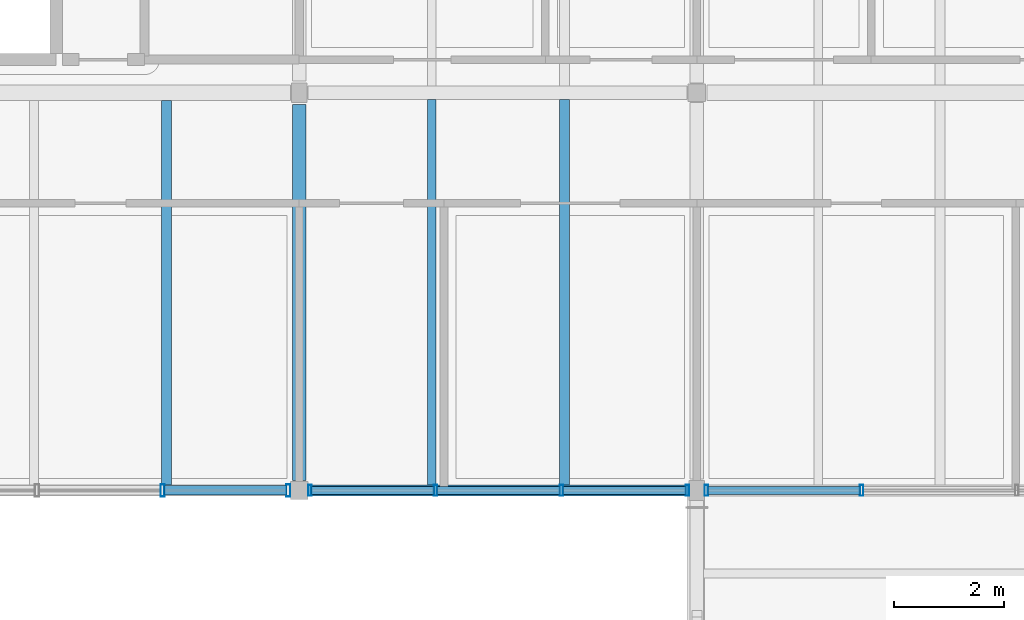
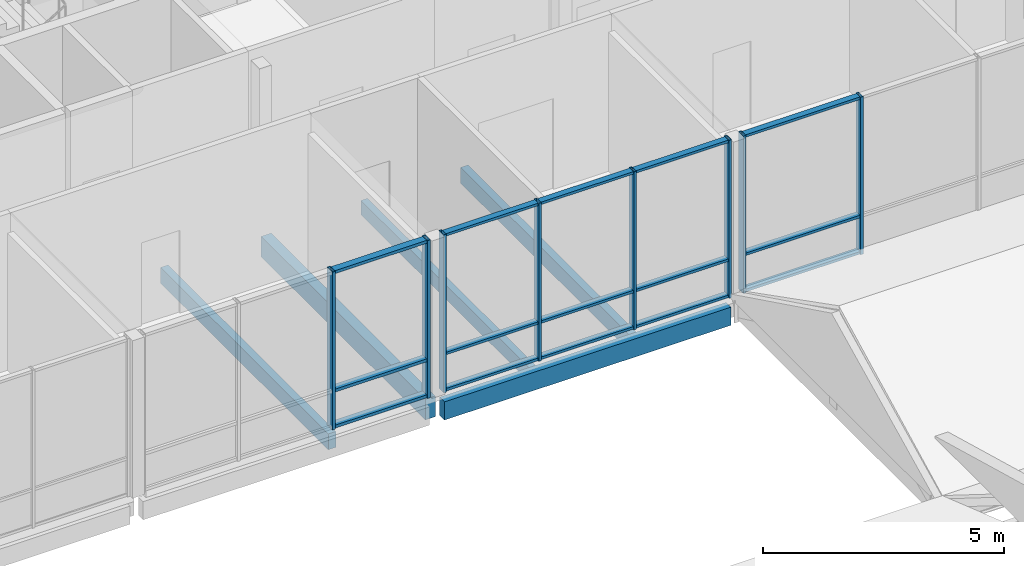
# One storey, part 26 of 115: 23 members, 5 beams, 3 elements without a shape of their own.
"""IFC4 building model written with IfcOpenShell, lengths in metres."""

from ifc_helpers import new_model, si_unit, direction, frame, origin, origin_2d, place, context, subcontext, project, spatial, rectangle, hollow_rectangle, extrude, material, material_profile, profile_set, type_object, element, aggregate, save


model = new_model("IFC4")

# Units and contexts
model_context = context("Model", 3, precision=1e-05, world=origin(), true_north=direction((0.0, 1.0)))
body_context = subcontext(model_context, "Body", "Model", "MODEL_VIEW")
ifc_project = project(units=[si_unit("LENGTHUNIT", "METRE"), si_unit("AREAUNIT", "SQUARE_METRE"), si_unit("VOLUMEUNIT", "CUBIC_METRE"), si_unit("PLANEANGLEUNIT", "RADIAN"), si_unit("MASSUNIT", "GRAM", prefix="KILO")], contexts=[model_context])

# Site, building, storey
site_placement = place(None, origin())
site = spatial("IfcSite", under=ifc_project, at=site_placement, CompositionType="ELEMENT")
building_placement = place(site_placement, origin())
building = spatial("IfcBuilding", under=site, at=building_placement, Name="Hawrajan Terrace Health Centre", CompositionType="ELEMENT")
storey_placement = place(building_placement, frame((0.0, 0.0, 9.0)))
storey = spatial("IfcBuildingStorey", under=building, at=storey_placement, Name="L02", CompositionType="ELEMENT", Elevation=9.0)

# Curtain wall, members
ifc_material_1 = material(Name="Anodized bronze aluminium and low-E solar glazing", Category="aluminium")
curtain_wall_type_1 = type_object("IfcCurtainWallType", Name="CW_Pavilion_SeriesE2", PredefinedType="USERDEFINED", material=ifc_material_1)
curtain_wall_1_placement = place(storey_placement, origin())
curtain_wall_1 = element("IfcCurtainWall", 1, at=curtain_wall_1_placement, inside=storey, type_object=curtain_wall_type_1, Name="Curtain wall CW-L02-133", ObjectType="UNITISED CURTAIN WALL", PredefinedType="USERDEFINED")
ifc_material_2 = material(Name="Anodized bronze aluminium 6063-T6", Category="aluminium")
ifc_material_profile_1 = material_profile(ifc_material_2, hollow_rectangle(XDim=0.06494140625, YDim=0.199951171875, WallThickness=0.00439453125, at=origin_2d()), Name="CW MUL 65x200")
ifc_profile_set_1 = profile_set([ifc_material_profile_1], Name="Anodized bronze aluminium 6063-T6")
member_type_1 = type_object("IfcMemberType", Name="CWMullion_65x200", PredefinedType="MULLION", material=ifc_profile_set_1)
member_1_placement = place(storey_placement, frame((55.1923828125, 45.39990234375, -0.0048828125), z_axis=(0.0, 0.0, 1.0), x_axis=(1.0, 0.0, 0.0)))
member_1 = element("IfcMember", 2, at=member_1_placement, type_object=member_type_1, Name="Mullion CW-L02-133-M1", PredefinedType="MULLION", context=body_context, shape_type="SweptSolid", body=[
    extrude(hollow_rectangle(XDim=0.06494140625, YDim=0.199951171875, WallThickness=0.00439453125, at=origin_2d()), origin(), (0.0, 0.0, 1.0), 4.0),
])
member_2_placement = place(storey_placement, frame((57.470703125, 45.39990234375, -0.0048828125), z_axis=(0.0, 0.0, 1.0), x_axis=(1.0, 0.0, 0.0)))
member_2 = element("IfcMember", 3, at=member_2_placement, type_object=member_type_1, Name="Mullion CW-L02-133-M2", PredefinedType="MULLION", context=body_context, shape_type="SweptSolid", body=[
    extrude(hollow_rectangle(XDim=0.06494140625, YDim=0.199951171875, WallThickness=0.00439453125, at=origin_2d()), origin(), (0.0, 0.0, 1.0), 4.0),
])
member_3_placement = place(storey_placement, frame((59.749267578125, 45.39990234375, -0.0048828125), z_axis=(0.0, 0.0, 1.0), x_axis=(1.0, 0.0, 0.0)))
member_3 = element("IfcMember", 4, at=member_3_placement, type_object=member_type_1, Name="Mullion CW-L02-133-M3", PredefinedType="MULLION", context=body_context, shape_type="SweptSolid", body=[
    extrude(hollow_rectangle(XDim=0.06494140625, YDim=0.199951171875, WallThickness=0.00439453125, at=origin_2d()), origin(), (0.0, 0.0, 1.0), 4.0),
])
member_4_placement = place(storey_placement, frame((62.027587890625, 45.39990234375, -0.0048828125), z_axis=(0.0, 0.0, 1.0), x_axis=(1.0, 0.0, 0.0)))
member_4 = element("IfcMember", 5, at=member_4_placement, type_object=member_type_1, Name="Mullion CW-L02-133-M4", PredefinedType="MULLION", context=body_context, shape_type="SweptSolid", body=[
    extrude(hollow_rectangle(XDim=0.06494140625, YDim=0.199951171875, WallThickness=0.00439453125, at=origin_2d()), origin(), (0.0, 0.0, 1.0), 4.0),
])

curtain_wall_type_2 = type_object("IfcCurtainWallType", Name="CW_Clerestory_SeriesG1", PredefinedType="USERDEFINED", material=ifc_material_1)
curtain_wall_2_placement = place(storey_placement, origin())
curtain_wall_2 = element("IfcCurtainWall", 6, at=curtain_wall_2_placement, inside=storey, type_object=curtain_wall_type_2, Name="Curtain wall CW-L02-136", ObjectType="UNITISED CURTAIN WALL", PredefinedType="USERDEFINED")
member_5_placement = place(storey_placement, frame((62.37255859375, 45.39990234375, -0.0048828125), z_axis=(0.0, 0.0, 1.0), x_axis=(1.0, 0.0, 0.0)))
member_5 = element("IfcMember", 7, at=member_5_placement, type_object=member_type_1, Name="Mullion CW-L02-136-M1", PredefinedType="MULLION", context=body_context, shape_type="SweptSolid", body=[
    extrude(hollow_rectangle(XDim=0.06494140625, YDim=0.199951171875, WallThickness=0.00439453125, at=origin_2d()), origin(), (0.0, 0.0, 1.0), 3.989990234375),
])
member_6_placement = place(storey_placement, frame((65.18408203125, 45.39990234375, -0.0048828125), z_axis=(0.0, 0.0, 1.0), x_axis=(1.0, 0.0, 0.0)))
member_6 = element("IfcMember", 8, at=member_6_placement, type_object=member_type_1, Name="Mullion CW-L02-136-M2", PredefinedType="MULLION", context=body_context, shape_type="SweptSolid", body=[
    extrude(hollow_rectangle(XDim=0.06494140625, YDim=0.199951171875, WallThickness=0.00439453125, at=origin_2d()), origin(), (0.0, 0.0, 1.0), 3.989990234375),
])

curtain_wall_type_3 = type_object("IfcCurtainWallType", Name="CW_Hall_SeriesD2", PredefinedType="USERDEFINED", material=ifc_material_1)
curtain_wall_3_placement = place(storey_placement, origin())
curtain_wall_3 = element("IfcCurtainWall", 9, at=curtain_wall_3_placement, inside=storey, type_object=curtain_wall_type_3, Name="Curtain wall CW-L02-131", ObjectType="UNITISED CURTAIN WALL", PredefinedType="USERDEFINED")
ifc_material_profile_2 = material_profile(ifc_material_2, hollow_rectangle(XDim=0.074951171875, YDim=0.219970703125, WallThickness=0.0048828125, at=origin_2d()), Name="CW MUL 75x220")
ifc_profile_set_2 = profile_set([ifc_material_profile_2], Name="Anodized bronze aluminium 6063-T6")
member_type_2 = type_object("IfcMemberType", Name="CWMullion_75x220", PredefinedType="MULLION", material=ifc_profile_set_2)
member_7_placement = place(storey_placement, frame((52.527587890625, 45.39990234375, -0.0048828125), z_axis=(0.0, 0.0, 1.0), x_axis=(1.0, 0.0, 0.0)))
member_7 = element("IfcMember", 10, at=member_7_placement, type_object=member_type_2, Name="Mullion CW-L02-131-M3", PredefinedType="MULLION", context=body_context, shape_type="SweptSolid", body=[
    extrude(hollow_rectangle(XDim=0.074951171875, YDim=0.219970703125, WallThickness=0.0048828125, at=origin_2d()), origin(), (0.0, 0.0, 1.0), 4.0),
])
member_8_placement = place(storey_placement, frame((54.802490234375, 45.39990234375, -0.0048828125), z_axis=(0.0, 0.0, 1.0), x_axis=(1.0, 0.0, 0.0)))
member_8 = element("IfcMember", 11, at=member_8_placement, type_object=member_type_2, Name="Mullion CW-L02-131-M4", PredefinedType="MULLION", context=body_context, shape_type="SweptSolid", body=[
    extrude(hollow_rectangle(XDim=0.074951171875, YDim=0.219970703125, WallThickness=0.0048828125, at=origin_2d()), origin(), (0.0, 0.0, 1.0), 4.0),
])

# Member
ifc_material_profile_3 = material_profile(ifc_material_2, hollow_rectangle(XDim=0.06494140625, YDim=0.14990234375, WallThickness=0.00390625, at=origin_2d()), Name="CW TRN 65x150")
ifc_profile_set_3 = profile_set([ifc_material_profile_3], Name="Anodized bronze aluminium 6063-T6")
member_type_3 = type_object("IfcMemberType", Name="CWTransom_65x150", PredefinedType="USERDEFINED", material=ifc_profile_set_3)
member_9_placement = place(storey_placement, frame((55.218994140625, 45.39990234375, 0.032470703125), z_axis=(1.0, 0.0, 0.0), x_axis=(0.0, 0.0, 1.0)))
member_9 = element("IfcMember", 12, at=member_9_placement, type_object=member_type_3, Name="Transom CW-L02-133-T1-1", ObjectType="TRANSOM", PredefinedType="USERDEFINED", context=body_context, shape_type="SweptSolid", body=[
    extrude(hollow_rectangle(XDim=0.06494140625, YDim=0.14990234375, WallThickness=0.00390625, at=origin_2d()), origin(), (0.0, 0.0, 1.0), 2.225341796875),
])

member_10_placement = place(storey_placement, frame((55.218994140625, 45.39990234375, 0.949951171875), z_axis=(1.0, 0.0, 0.0), x_axis=(0.0, 0.0, 1.0)))
member_10 = element("IfcMember", 13, at=member_10_placement, type_object=member_type_3, Name="Transom CW-L02-133-T1-2", ObjectType="TRANSOM", PredefinedType="USERDEFINED", context=body_context, shape_type="SweptSolid", body=[
    extrude(hollow_rectangle(XDim=0.06494140625, YDim=0.14990234375, WallThickness=0.00390625, at=origin_2d()), origin(), (0.0, 0.0, 1.0), 2.225341796875),
])

member_11_placement = place(storey_placement, frame((55.218994140625, 45.39990234375, 3.95751953125), z_axis=(1.0, 0.0, 0.0), x_axis=(0.0, 0.0, 1.0)))
member_11 = element("IfcMember", 14, at=member_11_placement, type_object=member_type_3, Name="Transom CW-L02-133-T1-3", ObjectType="TRANSOM", PredefinedType="USERDEFINED", context=body_context, shape_type="SweptSolid", body=[
    extrude(hollow_rectangle(XDim=0.06494140625, YDim=0.14990234375, WallThickness=0.00390625, at=origin_2d()), origin(), (0.0, 0.0, 1.0), 2.225341796875),
])

member_12_placement = place(storey_placement, frame((57.497314453125, 45.39990234375, 0.032470703125), z_axis=(1.0, 0.0, 0.0), x_axis=(0.0, 0.0, 1.0)))
member_12 = element("IfcMember", 15, at=member_12_placement, type_object=member_type_3, Name="Transom CW-L02-133-T2-1", ObjectType="TRANSOM", PredefinedType="USERDEFINED", context=body_context, shape_type="SweptSolid", body=[
    extrude(hollow_rectangle(XDim=0.06494140625, YDim=0.14990234375, WallThickness=0.00390625, at=origin_2d()), origin(), (0.0, 0.0, 1.0), 2.225341796875),
])

member_13_placement = place(storey_placement, frame((57.497314453125, 45.39990234375, 0.949951171875), z_axis=(1.0, 0.0, 0.0), x_axis=(0.0, 0.0, 1.0)))
member_13 = element("IfcMember", 16, at=member_13_placement, type_object=member_type_3, Name="Transom CW-L02-133-T2-2", ObjectType="TRANSOM", PredefinedType="USERDEFINED", context=body_context, shape_type="SweptSolid", body=[
    extrude(hollow_rectangle(XDim=0.06494140625, YDim=0.14990234375, WallThickness=0.00390625, at=origin_2d()), origin(), (0.0, 0.0, 1.0), 2.225341796875),
])

member_14_placement = place(storey_placement, frame((57.497314453125, 45.39990234375, 3.95751953125), z_axis=(1.0, 0.0, 0.0), x_axis=(0.0, 0.0, 1.0)))
member_14 = element("IfcMember", 17, at=member_14_placement, type_object=member_type_3, Name="Transom CW-L02-133-T2-3", ObjectType="TRANSOM", PredefinedType="USERDEFINED", context=body_context, shape_type="SweptSolid", body=[
    extrude(hollow_rectangle(XDim=0.06494140625, YDim=0.14990234375, WallThickness=0.00390625, at=origin_2d()), origin(), (0.0, 0.0, 1.0), 2.225341796875),
])

member_15_placement = place(storey_placement, frame((59.775634765625, 45.39990234375, 0.032470703125), z_axis=(1.0, 0.0, 0.0), x_axis=(0.0, 0.0, 1.0)))
member_15 = element("IfcMember", 18, at=member_15_placement, type_object=member_type_3, Name="Transom CW-L02-133-T3-1", ObjectType="TRANSOM", PredefinedType="USERDEFINED", context=body_context, shape_type="SweptSolid", body=[
    extrude(hollow_rectangle(XDim=0.06494140625, YDim=0.14990234375, WallThickness=0.00390625, at=origin_2d()), origin(), (0.0, 0.0, 1.0), 2.225341796875),
])

member_16_placement = place(storey_placement, frame((59.775634765625, 45.39990234375, 0.949951171875), z_axis=(1.0, 0.0, 0.0), x_axis=(0.0, 0.0, 1.0)))
member_16 = element("IfcMember", 19, at=member_16_placement, type_object=member_type_3, Name="Transom CW-L02-133-T3-2", ObjectType="TRANSOM", PredefinedType="USERDEFINED", context=body_context, shape_type="SweptSolid", body=[
    extrude(hollow_rectangle(XDim=0.06494140625, YDim=0.14990234375, WallThickness=0.00390625, at=origin_2d()), origin(), (0.0, 0.0, 1.0), 2.225341796875),
])

member_17_placement = place(storey_placement, frame((59.775634765625, 45.39990234375, 3.95751953125), z_axis=(1.0, 0.0, 0.0), x_axis=(0.0, 0.0, 1.0)))
member_17 = element("IfcMember", 20, at=member_17_placement, type_object=member_type_3, Name="Transom CW-L02-133-T3-3", ObjectType="TRANSOM", PredefinedType="USERDEFINED", context=body_context, shape_type="SweptSolid", body=[
    extrude(hollow_rectangle(XDim=0.06494140625, YDim=0.14990234375, WallThickness=0.00390625, at=origin_2d()), origin(), (0.0, 0.0, 1.0), 2.225341796875),
])

aggregate(curtain_wall_1, [member_1, member_2, member_3, member_4, member_9, member_10, member_11, member_12, member_13, member_14, member_15, member_16, member_17])

member_18_placement = place(storey_placement, frame((62.39892578125, 45.39990234375, 0.032470703125), z_axis=(1.0, 0.0, 0.0), x_axis=(0.0, 0.0, 1.0)))
member_18 = element("IfcMember", 21, at=member_18_placement, type_object=member_type_3, Name="Transom CW-L02-136-T1-1", ObjectType="TRANSOM", PredefinedType="USERDEFINED", context=body_context, shape_type="SweptSolid", body=[
    extrude(hollow_rectangle(XDim=0.06494140625, YDim=0.14990234375, WallThickness=0.00390625, at=origin_2d()), origin(), (0.0, 0.0, 1.0), 2.7587890625),
])

member_19_placement = place(storey_placement, frame((62.39892578125, 45.39990234375, 0.949951171875), z_axis=(1.0, 0.0, 0.0), x_axis=(0.0, 0.0, 1.0)))
member_19 = element("IfcMember", 22, at=member_19_placement, type_object=member_type_3, Name="Transom CW-L02-136-T1-2", ObjectType="TRANSOM", PredefinedType="USERDEFINED", context=body_context, shape_type="SweptSolid", body=[
    extrude(hollow_rectangle(XDim=0.06494140625, YDim=0.14990234375, WallThickness=0.00390625, at=origin_2d()), origin(), (0.0, 0.0, 1.0), 2.7587890625),
])

member_20_placement = place(storey_placement, frame((62.39892578125, 45.39990234375, 3.947509765625), z_axis=(1.0, 0.0, 0.0), x_axis=(0.0, 0.0, 1.0)))
member_20 = element("IfcMember", 23, at=member_20_placement, type_object=member_type_3, Name="Transom CW-L02-136-T1-3", ObjectType="TRANSOM", PredefinedType="USERDEFINED", context=body_context, shape_type="SweptSolid", body=[
    extrude(hollow_rectangle(XDim=0.06494140625, YDim=0.14990234375, WallThickness=0.00390625, at=origin_2d()), origin(), (0.0, 0.0, 1.0), 2.7587890625),
])

aggregate(curtain_wall_2, [member_5, member_6, member_18, member_19, member_20])

ifc_material_profile_4 = material_profile(ifc_material_2, hollow_rectangle(XDim=0.074951171875, YDim=0.169921875, WallThickness=0.00439453125, at=origin_2d()), Name="CW TRN 75x170")
ifc_profile_set_4 = profile_set([ifc_material_profile_4], Name="Anodized bronze aluminium 6063-T6")
member_type_4 = type_object("IfcMemberType", Name="CWTransom_75x170", PredefinedType="USERDEFINED", material=ifc_profile_set_4)
member_21_placement = place(storey_placement, frame((52.55908203125, 45.39990234375, 0.03759765625), z_axis=(1.0, 0.0, 0.0), x_axis=(0.0, 0.0, 1.0)))
member_21 = element("IfcMember", 24, at=member_21_placement, type_object=member_type_4, Name="Transom CW-L02-131-T3-1", ObjectType="TRANSOM", PredefinedType="USERDEFINED", context=body_context, shape_type="SweptSolid", body=[
    extrude(hollow_rectangle(XDim=0.074951171875, YDim=0.169921875, WallThickness=0.00439453125, at=origin_2d()), origin(), (0.0, 0.0, 1.0), 2.2119140625),
])

member_22_placement = place(storey_placement, frame((52.55908203125, 45.39990234375, 0.949951171875), z_axis=(1.0, 0.0, 0.0), x_axis=(0.0, 0.0, 1.0)))
member_22 = element("IfcMember", 25, at=member_22_placement, type_object=member_type_4, Name="Transom CW-L02-131-T3-2", ObjectType="TRANSOM", PredefinedType="USERDEFINED", context=body_context, shape_type="SweptSolid", body=[
    extrude(hollow_rectangle(XDim=0.074951171875, YDim=0.169921875, WallThickness=0.00439453125, at=origin_2d()), origin(), (0.0, 0.0, 1.0), 2.2119140625),
])

member_23_placement = place(storey_placement, frame((52.55908203125, 45.39990234375, 3.952392578125), z_axis=(1.0, 0.0, 0.0), x_axis=(0.0, 0.0, 1.0)))
member_23 = element("IfcMember", 26, at=member_23_placement, type_object=member_type_4, Name="Transom CW-L02-131-T3-3", ObjectType="TRANSOM", PredefinedType="USERDEFINED", context=body_context, shape_type="SweptSolid", body=[
    extrude(hollow_rectangle(XDim=0.074951171875, YDim=0.169921875, WallThickness=0.00439453125, at=origin_2d()), origin(), (0.0, 0.0, 1.0), 2.2119140625),
])

aggregate(curtain_wall_3, [member_7, member_8, member_21, member_22, member_23])

# Beams
ifc_material_3 = material(Name="Glulam GL32h", Category="wood")
ifc_material_profile_5 = material_profile(ifc_material_3, rectangle(XDim=0.239990234375, YDim=0.52001953125, at=origin_2d()), Name="GL BM 240x520")
ifc_profile_set_5 = profile_set([ifc_material_profile_5], Name="Glulam GL32h")
beam_type_1 = type_object("IfcBeamType", Name="GlulamGirder_240x520", PredefinedType="BEAM", material=ifc_profile_set_5)
beam_1_placement = place(storey_placement, frame((55.0, 45.580078125, -0.5), z_axis=(0.0, 1.0, 0.0), x_axis=(-1.0, 0.0, 0.0)))
element("IfcBeam", 27, at=beam_1_placement, inside=storey, type_object=beam_type_1, Name="Beam BM-Y-L02-W-X08-6", PredefinedType="BEAM", context=body_context, shape_type="SweptSolid", body=[
    extrude(rectangle(XDim=0.239990234375, YDim=0.52001953125, at=origin_2d()), origin(), (0.0, 0.0, 1.0), 6.809814453125),
])
ifc_material_4 = material(Name="Glulam GL28h", Category="wood")
ifc_material_profile_6 = material_profile(ifc_material_4, rectangle(XDim=0.159912109375, YDim=0.360107421875, at=origin_2d()), Name="GL JST 160x360")
ifc_profile_set_6 = profile_set([ifc_material_profile_6], Name="Glulam GL28h")
beam_type_2 = type_object("IfcBeamType", Name="GlulamJoist_160x360", PredefinedType="JOIST", material=ifc_profile_set_6)
beam_2_placement = place(storey_placement, frame((57.39990234375, 45.5, -0.419921875), z_axis=(0.0, 1.0, 0.0), x_axis=(-1.0, 0.0, 0.0)))
element("IfcBeam", 28, at=beam_2_placement, inside=storey, type_object=beam_type_2, Name="Secondary joist JST-L02-W-08-6-1", PredefinedType="JOIST", context=body_context, shape_type="SweptSolid", body=[
    extrude(rectangle(XDim=0.159912109375, YDim=0.360107421875, at=origin_2d()), origin(), (0.0, 0.0, 1.0), 6.97998046875),
])
ifc_material_profile_7 = material_profile(ifc_material_4, rectangle(XDim=0.179931640625, YDim=0.39990234375, at=origin_2d()), Name="GL JST 180x400")
ifc_profile_set_7 = profile_set([ifc_material_profile_7], Name="Glulam GL28h")
beam_type_3 = type_object("IfcBeamType", Name="GlulamJoist_180x400", PredefinedType="JOIST", material=ifc_profile_set_7)
beam_3_placement = place(storey_placement, frame((52.60009765625, 45.5, -0.43994140625), z_axis=(0.0, 1.0, 0.0), x_axis=(-1.0, 0.0, 0.0)))
element("IfcBeam", 29, at=beam_3_placement, inside=storey, type_object=beam_type_3, Name="Secondary joist JST-L02-W-07-6-2", PredefinedType="JOIST", context=body_context, shape_type="SweptSolid", body=[
    extrude(rectangle(XDim=0.179931640625, YDim=0.39990234375, at=origin_2d()), origin(), (0.0, 0.0, 1.0), 6.9599609375),
])
beam_4_placement = place(storey_placement, frame((59.800048828125, 45.5, -0.43994140625), z_axis=(0.0, 1.0, 0.0), x_axis=(-1.0, 0.0, 0.0)))
element("IfcBeam", 30, at=beam_4_placement, inside=storey, type_object=beam_type_3, Name="Secondary joist JST-L02-W-08-6-2", PredefinedType="JOIST", context=body_context, shape_type="SweptSolid", body=[
    extrude(rectangle(XDim=0.179931640625, YDim=0.39990234375, at=origin_2d()), origin(), (0.0, 0.0, 1.0), 6.97998046875),
])
ifc_material_profile_8 = material_profile(ifc_material_3, rectangle(XDim=0.199951171875, YDim=0.4599609375, at=origin_2d()), Name="GL SP 200x460")
ifc_profile_set_8 = profile_set([ifc_material_profile_8], Name="Glulam GL32h")
beam_type_4 = type_object("IfcBeamType", Name="GlulamSpandrel_200x460", PredefinedType="SPANDREL", material=ifc_profile_set_8)
beam_5_placement = place(storey_placement, frame((55.179931640625, 45.39990234375, -0.469970703125), z_axis=(1.0, 0.0, 0.0), x_axis=(0.0, 1.0, 0.0)))
element("IfcBeam", 31, at=beam_5_placement, inside=storey, type_object=beam_type_4, Name="Beam BM-X-L02-W-08-Y6", PredefinedType="SPANDREL", context=body_context, shape_type="SweptSolid", body=[
    extrude(rectangle(XDim=0.199951171875, YDim=0.4599609375, at=origin_2d()), origin(), (0.0, 0.0, 1.0), 6.860107421875),
])

save(model, "model.ifc")
